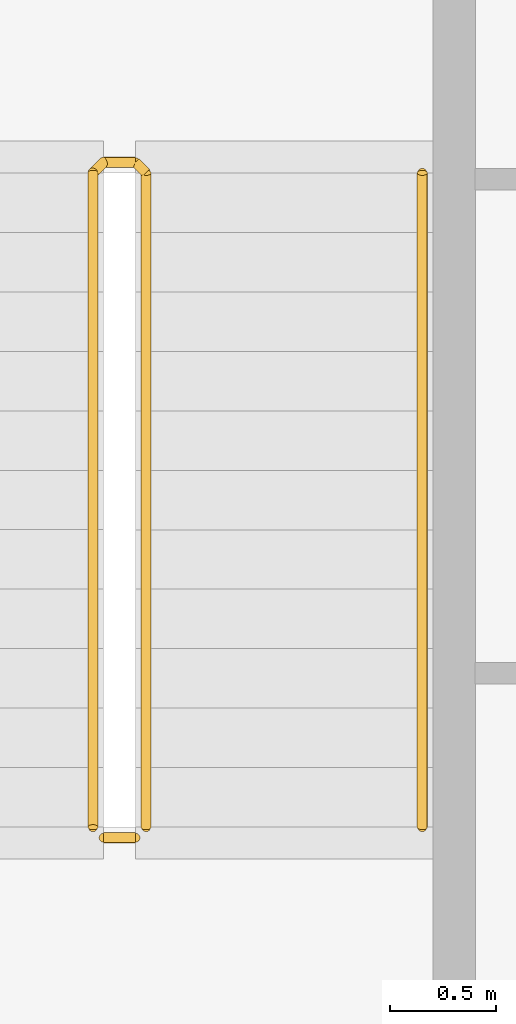
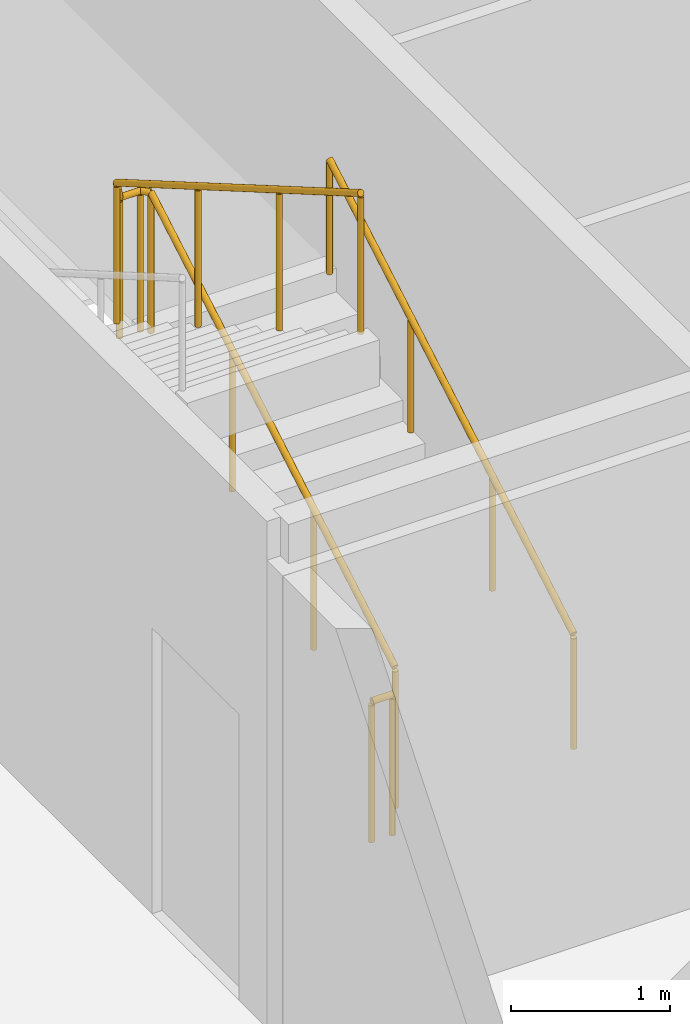
# One storey, part 20 of 21: 3 railings.
"""IFC4 building model written with IfcOpenShell, lengths in metres."""

from ifc_helpers import new_model, si_unit, direction, frame, origin, origin_2d, place, context, subcontext, project, spatial, circle, extrude, material, type_object, element, save


model = new_model("IFC4")

# Units and contexts
model_context = context("Model", 3, precision=1e-05, world=origin(), true_north=direction((0.0, 1.0)))
body_context = subcontext(model_context, "Body", "Model", "MODEL_VIEW")
ifc_project = project(units=[si_unit("LENGTHUNIT", "METRE"), si_unit("AREAUNIT", "SQUARE_METRE"), si_unit("VOLUMEUNIT", "CUBIC_METRE"), si_unit("PLANEANGLEUNIT", "RADIAN"), si_unit("MASSUNIT", "GRAM", prefix="KILO")], contexts=[model_context])

# Site, building, storey
site_placement = place(None, origin())
site = spatial("IfcSite", under=ifc_project, at=site_placement, CompositionType="ELEMENT")
building_placement = place(site_placement, origin())
building = spatial("IfcBuilding", under=site, at=building_placement, Name="Kheshtan School and Residences Tower", CompositionType="ELEMENT")
storey_placement = place(building_placement, frame((0.0, 0.0, 302.0)))
storey = spatial("IfcBuildingStorey", under=building, at=storey_placement, Name="L71", CompositionType="ELEMENT", Elevation=302.0)

# Railings
ifc_material_1 = material(Name="Stainless steel balustrade", Category="steel")
railing_type_1 = type_object("IfcRailingType", Name="Stair guard 1100", PredefinedType="GUARDRAIL", material=ifc_material_1)
railing_1_placement = place(storey_placement, frame((35.0, 80.89990234375, 0.16259765625)))
element("IfcRailing", 1, at=railing_1_placement, inside=storey, type_object=railing_type_1, Name="L71 ST3 stair guard 1", PredefinedType="GUARDRAIL", context=body_context, shape_type="SweptSolid", body=[
    extrude(circle(Radius=0.02392578125, at=origin_2d()), frame((0.0, 0.0, 1.076171875), z_axis=(0.0, 0.864920483161, 0.501908913857), x_axis=(-1.0, 0.0, 0.0)), (0.0, 0.0, 1.0), 3.56103515625),
    extrude(circle(Radius=0.02392578125, at=origin_2d()), frame((0.0, 3.080078125, 2.86328125), z_axis=(-0.707106781187, 0.707106781187, 0.0), x_axis=(-0.707106781187, -0.707106781187, 0.0)), (0.0, 0.0, 1.0), 0.07080078125),
    extrude(circle(Radius=0.02392578125, at=origin_2d()), frame((-0.050048828125, 3.130126953125, 2.86328125), z_axis=(-1.0, 0.0, 0.0), x_axis=(0.0, -1.0, 0.0)), (0.0, 0.0, 1.0), 0.14990234375),
    extrude(circle(Radius=0.02392578125, at=origin_2d()), frame((-0.199951171875, 3.130126953125, 2.86328125), z_axis=(-0.282227285176, -0.282227285176, 0.916894497205), x_axis=(0.707106781187, -0.707106781187, 0.0)), (0.0, 0.0, 1.0), 0.17724609375),
    extrude(circle(Radius=0.02392578125, at=origin_2d()), frame((-0.25, 3.080078125, 3.02587890625), z_axis=(0.0, -0.864920483161, 0.501908913857), x_axis=(1.0, 0.0, 0.0)), (0.0, 0.0, 1.0), 3.56103515625),
    extrude(circle(Radius=0.02099609375, at=origin_2d()), origin(), (0.0, 0.0, 1.0), 1.052001953125),
    extrude(circle(Radius=0.02099609375, at=origin_2d()), frame((0.0, 1.026611328125, 0.595703125)), (0.0, 0.0, 1.0), 1.052001953125),
    extrude(circle(Radius=0.02099609375, at=origin_2d()), frame((0.0, 2.053466796875, 1.191650390625)), (0.0, 0.0, 1.0), 1.052001953125),
    extrude(circle(Radius=0.02099609375, at=origin_2d()), frame((0.0, 3.080078125, 1.787353515625)), (0.0, 0.0, 1.0), 1.052001953125),
    extrude(circle(Radius=0.02099609375, at=origin_2d()), frame((-0.050048828125, 3.130126953125, 1.787353515625)), (0.0, 0.0, 1.0), 1.052001953125),
    extrude(circle(Radius=0.02099609375, at=origin_2d()), frame((-0.199951171875, 3.130126953125, 1.787353515625)), (0.0, 0.0, 1.0), 1.052001953125),
    extrude(circle(Radius=0.02099609375, at=origin_2d()), frame((-0.25, 3.080078125, 1.949951171875)), (0.0, 0.0, 1.0), 1.052001953125),
    extrude(circle(Radius=0.02099609375, at=origin_2d()), frame((-0.25, 2.053466796875, 2.545654296875)), (0.0, 0.0, 1.0), 1.052001953125),
    extrude(circle(Radius=0.02099609375, at=origin_2d()), frame((-0.25, 1.026611328125, 3.1416015625)), (0.0, 0.0, 1.0), 1.052001953125),
    extrude(circle(Radius=0.02099609375, at=origin_2d()), frame((-0.25, 0.0, 3.7373046875)), (0.0, 0.0, 1.0), 1.052001953125),
])
railing_2_placement = place(storey_placement, frame((34.949951171875, 80.85009765625, 0.0)))
element("IfcRailing", 2, at=railing_2_placement, inside=storey, type_object=railing_type_1, Name="L71 ST3 stair guard 2", PredefinedType="GUARDRAIL", context=body_context, shape_type="SweptSolid", body=[
    extrude(circle(Radius=0.02392578125, at=origin_2d()), frame((0.0, 0.0, 1.076171875), z_axis=(-1.0, 0.0, 0.0), x_axis=(0.0, -1.0, 0.0)), (0.0, 0.0, 1.0), 0.14990234375),
    extrude(circle(Radius=0.02099609375, at=origin_2d()), origin(), (0.0, 0.0, 1.0), 1.052001953125),
    extrude(circle(Radius=0.02099609375, at=origin_2d()), frame((-0.14990234375, 0.0, 0.0)), (0.0, 0.0, 1.0), 1.052001953125),
])
ifc_material_2 = material(Name="Stainless steel handrail", Category="steel")
railing_type_2 = type_object("IfcRailingType", Name="Stair handrail 900", PredefinedType="HANDRAIL", material=ifc_material_2)
railing_3_placement = place(storey_placement, frame((36.300048828125, 80.89990234375, 0.16259765625)))
element("IfcRailing", 3, at=railing_3_placement, inside=storey, type_object=railing_type_2, Name="L71 ST3 stair handrail 1", PredefinedType="HANDRAIL", context=body_context, shape_type="SweptSolid", body=[
    extrude(circle(Radius=0.02392578125, at=origin_2d()), frame((0.0, 0.0, 0.8759765625), z_axis=(0.0, 0.864920483161, 0.501908913857), x_axis=(-1.0, 0.0, 0.0)), (0.0, 0.0, 1.0), 3.56103515625),
    extrude(circle(Radius=0.02099609375, at=origin_2d()), origin(), (0.0, 0.0, 1.0), 0.851806640625),
    extrude(circle(Radius=0.02099609375, at=origin_2d()), frame((0.0, 1.026611328125, 0.595703125)), (0.0, 0.0, 1.0), 0.851806640625),
    extrude(circle(Radius=0.02099609375, at=origin_2d()), frame((0.0, 2.053466796875, 1.191650390625)), (0.0, 0.0, 1.0), 0.851806640625),
    extrude(circle(Radius=0.02099609375, at=origin_2d()), frame((0.0, 3.080078125, 1.787353515625)), (0.0, 0.0, 1.0), 0.851806640625),
])

save(model, "model.ifc")
